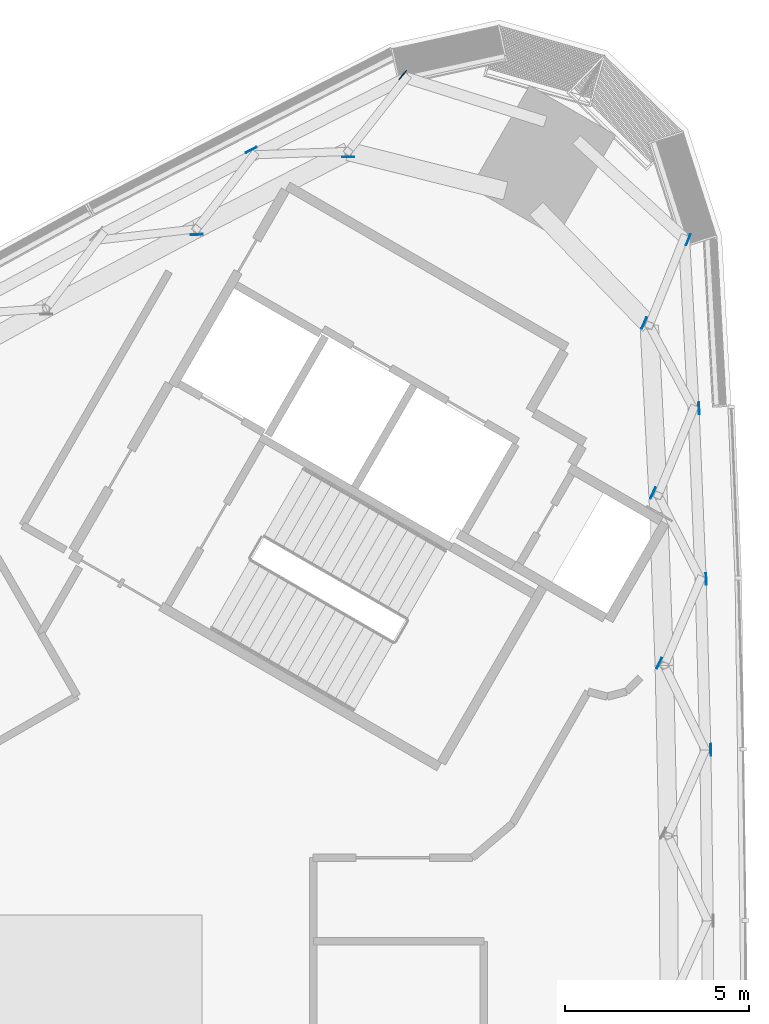
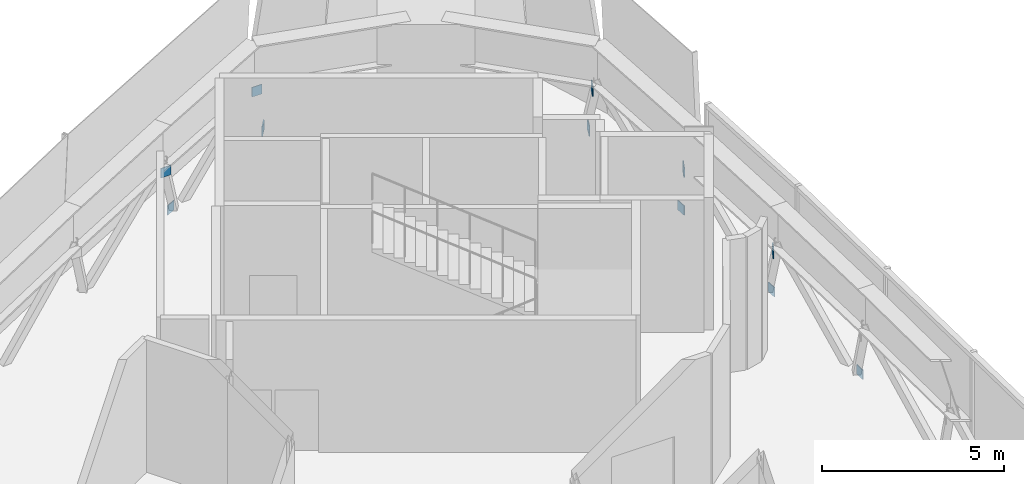
# One storey, part 10 of 18: 11 plates.
"""IFC4 building model written with IfcOpenShell, lengths in metres."""

from ifc_helpers import new_model, si_unit, direction, frame, origin, origin_2d, place, context, subcontext, project, spatial, rectangle, extrude, material, layer, layer_set, type_object, element, save


model = new_model("IFC4")

# Units and contexts
model_context = context("Model", 3, precision=1e-05, world=origin(), true_north=direction((0.0, 1.0)))
body_context = subcontext(model_context, "Body", "Model", "MODEL_VIEW")
ifc_project = project(units=[si_unit("LENGTHUNIT", "METRE"), si_unit("AREAUNIT", "SQUARE_METRE"), si_unit("VOLUMEUNIT", "CUBIC_METRE"), si_unit("PLANEANGLEUNIT", "RADIAN"), si_unit("MASSUNIT", "GRAM", prefix="KILO")], contexts=[model_context])

# Site, building, storey
site_placement = place(None, origin())
site = spatial("IfcSite", under=ifc_project, at=site_placement, CompositionType="ELEMENT")
building_placement = place(site_placement, origin())
building = spatial("IfcBuilding", under=site, at=building_placement, Name="Tamra Quay Hotel Tower", CompositionType="ELEMENT")
storey_placement = place(building_placement, frame((0.0, 0.0, 211.60009765625)))
storey = spatial("IfcBuildingStorey", under=building, at=storey_placement, Name="L53", CompositionType="ELEMENT", Elevation=211.60009765625)

# Plates
ifc_material = material(Name="Structural steel IS 2062 E350", Category="steel")
ifc_layer = layer(ifc_material, 0.02490234375)
ifc_layer_set = layer_set([ifc_layer], Name="BRACE END PLATE 25")
plate_type = type_object("IfcPlateType", Name="BRACE END PLATE 25", PredefinedType="SHEET", material=ifc_layer_set)
for number, where, z_axis, x_axis, name in (
    (1, (17.798095703125, 6.958984375, -0.39990234375), (0.0, 0.0, 1.0), (0.999774499859, 0.021235569986, 0.0), "BEP-L53-007"),
    (2, (17.66943359375, 11.597412109375, -0.39990234375), (0.0, 0.0, 1.0), (0.999371860149, 0.035438469809, 0.0), "BEP-L53-008"),
    (3, (17.4765625, 16.23291015625, -0.39990234375), (0.0, 0.0, 1.0), (0.998773432862, 0.049513935508, 0.0), "BEP-L53-009"),
    (4, (17.183349609375, 20.810791015625, -0.39990234375), (0.0, 0.0, 1.0), (-0.928757804239, 0.370687120176, 0.0), "BEP-L53-010"),
    (5, (9.430908203125, 25.286376953125, -0.39990234375), (0.0, 0.0, 1.0), (-0.785388240174, 0.619003483186, 0.0), "BEP-L53-011"),
    (6, (5.31982421875, 23.251708984375, -0.39990234375), (0.0, 0.0, 1.0), (-0.456515707542, 0.889715352665, 0.0), "BEP-L53-012"),
    (7, (16.396728515625, 9.314697265625, 2.72998046875), (0.0, 0.0, 1.0), (-0.90292312856, 0.429802075276, 0.0), "BEP-L53-037"),
    (8, (16.22607421875, 13.934814453125, 2.72998046875), (0.0, 0.0, 1.0), (-0.908645968749, 0.417567363997, 0.0), "BEP-L53-038"),
    (9, (15.987548828125, 18.552001953125, 2.72998046875), (0.0, 0.0, 1.0), (-0.914156348163, 0.405361778062, 0.0), "BEP-L53-039"),
    (10, (7.95068359375, 23.0595703125, 2.72998046875), (0.0, 0.0, 1.0), (0.001497491939, 0.999998878758, 0.0), "BEP-L53-040"),
    (11, (3.837890625, 20.951416015625, 2.72998046875), (0.0, 0.0, 1.0), (-0.041150222662, 0.999152970858, 0.0), "BEP-L53-041"),
):
    element("IfcPlate", number, at=place(storey_placement, frame(where, z_axis=z_axis, x_axis=x_axis)), inside=storey, type_object=plate_type, Name=name, PredefinedType="SHEET", context=body_context, shape_type="SweptSolid", body=[
        extrude(rectangle(XDim=0.02490234375, YDim=0.320068359375, at=origin_2d()), origin(), (0.0, 0.0, 1.0), 0.320068359375),
    ])

save(model, "model.ifc")
